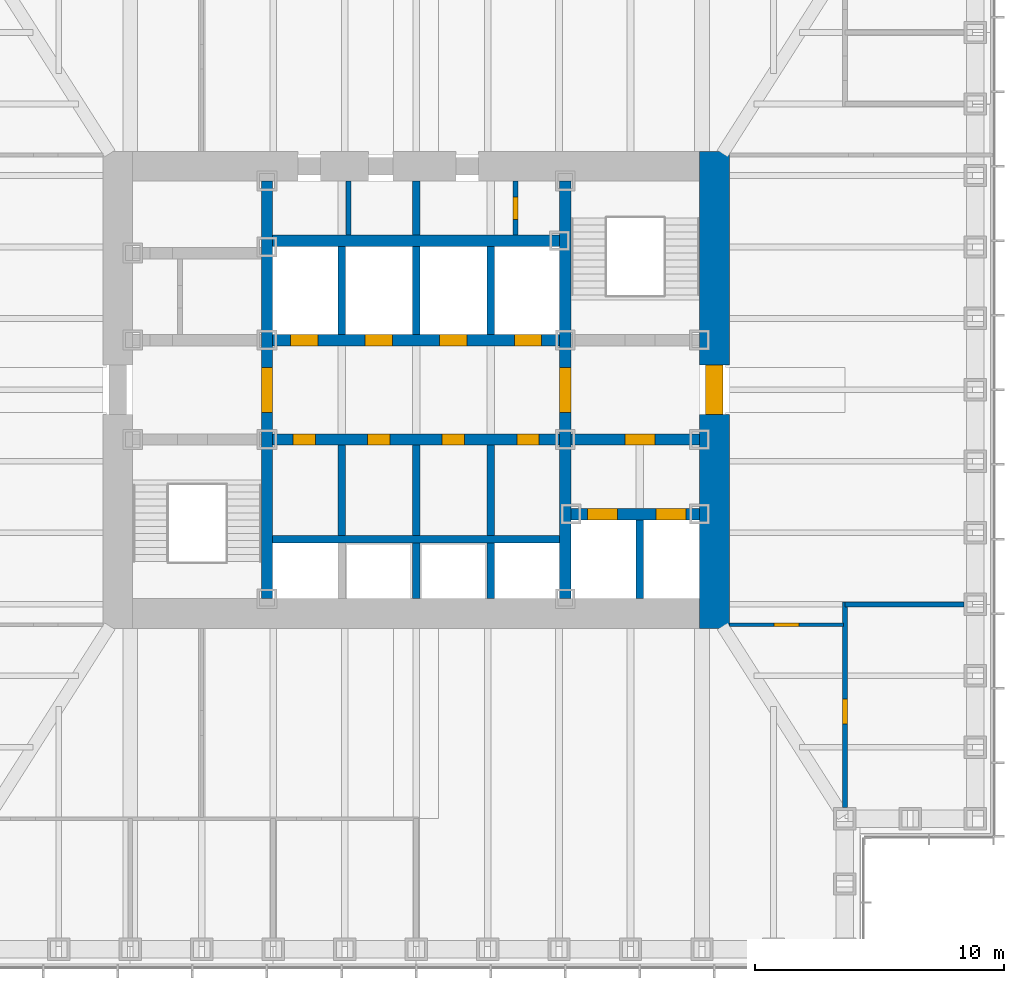
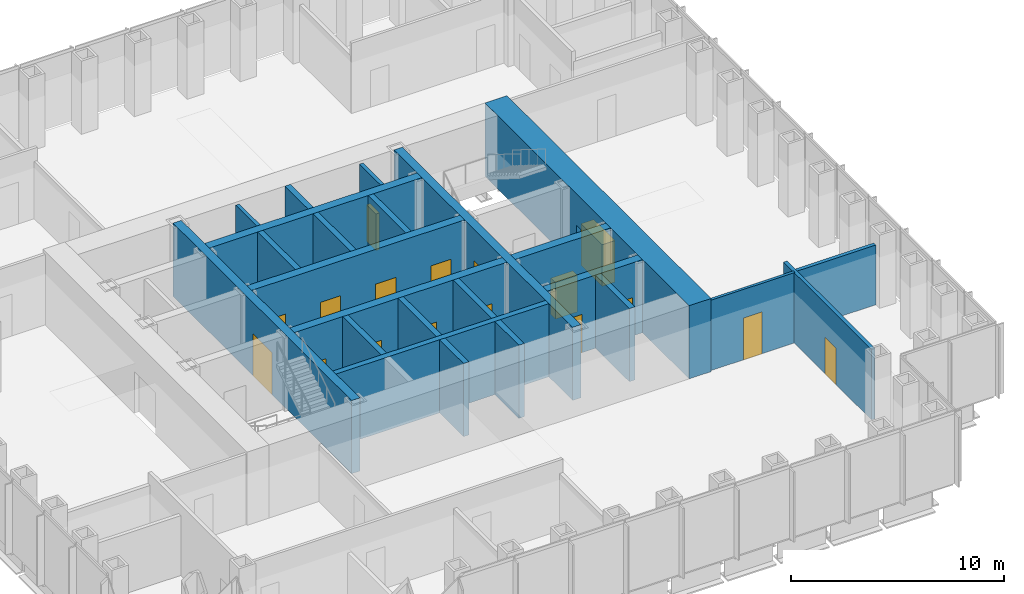
# One storey, part 9 of 16: 24 walls, 17 doors, 17 openings.
"""IFC4 building model written with IfcOpenShell, lengths in metres."""

from ifc_helpers import new_model, si_unit, direction, frame, frame_2d, origin, place, context, subcontext, project, spatial, rectangle, extrude, material, layer, layer_set, type_object, element, fill, save


model = new_model("IFC4")

# Units and contexts
model_context = context("Model", 3, precision=1e-05, world=origin(), true_north=direction((0.0, 1.0)))
body_context = subcontext(model_context, "Body", "Model", "MODEL_VIEW")
ifc_project = project(units=[si_unit("LENGTHUNIT", "METRE"), si_unit("AREAUNIT", "SQUARE_METRE"), si_unit("VOLUMEUNIT", "CUBIC_METRE"), si_unit("PLANEANGLEUNIT", "RADIAN"), si_unit("MASSUNIT", "GRAM", prefix="KILO")], contexts=[model_context])

# Site, building, storey
site_placement = place(None, origin())
site = spatial("IfcSite", under=ifc_project, at=site_placement, CompositionType="ELEMENT")
building_placement = place(site_placement, origin())
building = spatial("IfcBuilding", under=site, at=building_placement, Name="Daluyong Arena Tower", CompositionType="ELEMENT")
storey_placement = place(building_placement, frame((0.0, 0.0, 162.699951171875)))
storey = spatial("IfcBuildingStorey", under=building, at=storey_placement, Name="L36", CompositionType="ELEMENT", Elevation=162.699951171875)

# Wall, opening, door
ifc_material_1 = material(Name="Concrete fc' 45 MPa", Category="concrete")
ifc_layer_1 = layer(ifc_material_1, 0.449951171875)
ifc_layer_set_1 = layer_set([ifc_layer_1], Name="Concrete fc' 45 MPa")
wall_type_1 = type_object("IfcWallType", Name="Core inner wall 450", PredefinedType="SHEAR", material=ifc_layer_set_1)
wall_1_placement = place(storey_placement, frame((50.0, 71.60009765625, 0.0), z_axis=(0.0, 0.0, 1.0), x_axis=(0.0, 1.0, 0.0)))
wall_1 = element("IfcWall", 1, at=wall_1_placement, inside=storey, type_object=wall_type_1, Name="core inner wall at L36", PredefinedType="SHEAR", context=body_context, shape_type="SweptSolid", body=[
    extrude(rectangle(XDim=16.7998046875, YDim=0.449951171875, at=frame_2d((8.39990234375, 0.0))), origin(), (0.0, 0.0, 1.0), 4.199951171875),
])
opening_1_placement = place(wall_1_placement, frame((7.5, 0.0, 0.0)))
opening_1 = element("IfcOpeningElement", 2, at=opening_1_placement, cuts=wall_1, Name="Opening 36016", PredefinedType="OPENING", context=body_context, shape_type="SweptSolid", body=[
    extrude(rectangle(XDim=1.800048828125, YDim=2.39990234375, at=frame_2d((0.89990234375, 1.199951171875))), frame((0.0, 0.23486328125, 0.0), z_axis=(0.0, -1.0, 0.0), x_axis=(1.0, 0.0, 0.0)), (0.0, 0.0, 1.0), 0.469970703125),
])
ifc_material_2 = material(Name="Steel door, fire rated", Category="steel")
door_type_1 = type_object("IfcDoorType", Name="Lift lobby opening door 1800", OperationType="DOUBLE_DOOR_SINGLE_SWING", PredefinedType="DOOR", material=ifc_material_2)
door_1_placement = place(opening_1_placement, origin())
door_1 = element("IfcDoor", 3, at=door_1_placement, inside=storey, type_object=door_type_1, Name="lift lobby door west 36016", OperationType="DOUBLE_DOOR_SINGLE_SWING", OverallHeight=2.39990234375, OverallWidth=1.800048828125, PredefinedType="DOOR", context=body_context, shape_type="SweptSolid", body=[
    extrude(rectangle(XDim=1.800048828125, YDim=2.39990234375, at=frame_2d((0.89990234375, 1.199951171875))), frame((0.0, 0.224609375, 0.0), z_axis=(0.0, -1.0, 0.0), x_axis=(1.0, 0.0, 0.0)), (0.0, 0.0, 1.0), 0.449462890625),
])
fill(opening_1, door_1)

wall_2_placement = place(storey_placement, frame((62.0, 71.60009765625, 0.0), z_axis=(0.0, 0.0, 1.0), x_axis=(0.0, 1.0, 0.0)))
wall_2 = element("IfcWall", 4, at=wall_2_placement, inside=storey, type_object=wall_type_1, Name="core inner wall at L36", PredefinedType="SHEAR", context=body_context, shape_type="SweptSolid", body=[
    extrude(rectangle(XDim=16.7998046875, YDim=0.449951171875, at=frame_2d((8.39990234375, 0.0))), origin(), (0.0, 0.0, 1.0), 4.199951171875),
])
opening_2_placement = place(wall_2_placement, frame((7.5, 0.0, 0.0)))
opening_2 = element("IfcOpeningElement", 5, at=opening_2_placement, cuts=wall_2, Name="Opening 36017", PredefinedType="OPENING", context=body_context, shape_type="SweptSolid", body=[
    extrude(rectangle(XDim=1.800048828125, YDim=2.39990234375, at=frame_2d((0.89990234375, 1.199951171875))), frame((0.0, 0.23486328125, 0.0), z_axis=(0.0, -1.0, 0.0), x_axis=(1.0, 0.0, 0.0)), (0.0, 0.0, 1.0), 0.469970703125),
])
door_2_placement = place(opening_2_placement, origin())
door_2 = element("IfcDoor", 6, at=door_2_placement, inside=storey, type_object=door_type_1, Name="lift lobby door east 36017", OperationType="DOUBLE_DOOR_SINGLE_SWING", OverallHeight=2.39990234375, OverallWidth=1.800048828125, PredefinedType="DOOR", context=body_context, shape_type="SweptSolid", body=[
    extrude(rectangle(XDim=1.800048828125, YDim=2.39990234375, at=frame_2d((0.89990234375, 1.199951171875))), frame((0.0, 0.224609375, 0.0), z_axis=(0.0, -1.0, 0.0), x_axis=(1.0, 0.0, 0.0)), (0.0, 0.0, 1.0), 0.449462890625),
])
fill(opening_2, door_2)

# Wall, openings, doors
wall_3_placement = place(storey_placement, frame((62.22509765625, 75.0, 0.0), z_axis=(0.0, 0.0, 1.0), x_axis=(1.0, 0.0, 0.0)))
wall_3 = element("IfcWall", 7, at=wall_3_placement, inside=storey, type_object=wall_type_1, Name="core inner wall at L36", PredefinedType="SHEAR", context=body_context, shape_type="SweptSolid", body=[
    extrude(rectangle(XDim=5.1748046875, YDim=0.449951171875, at=frame_2d((2.58740234375, 0.0))), origin(), (0.0, 0.0, 1.0), 4.199951171875),
])
opening_3_placement = place(wall_3_placement, frame((0.675048828125, 0.0, 0.0)))
opening_3 = element("IfcOpeningElement", 8, at=opening_3_placement, cuts=wall_3, Name="Opening 36023", PredefinedType="OPENING", context=body_context, shape_type="SweptSolid", body=[
    extrude(rectangle(XDim=1.199951171875, YDim=2.199951171875, at=frame_2d((0.60009765625, 1.10009765625))), frame((0.0, 0.23486328125, 0.0), z_axis=(0.0, -1.0, 0.0), x_axis=(1.0, 0.0, 0.0)), (0.0, 0.0, 1.0), 0.469970703125),
])
opening_4_placement = place(wall_3_placement, frame((3.425048828125, 0.0, 0.0)))
opening_4 = element("IfcOpeningElement", 9, at=opening_4_placement, cuts=wall_3, Name="Opening 36024", PredefinedType="OPENING", context=body_context, shape_type="SweptSolid", body=[
    extrude(rectangle(XDim=1.199951171875, YDim=2.199951171875, at=frame_2d((0.60009765625, 1.10009765625))), frame((0.0, 0.23486328125, 0.0), z_axis=(0.0, -1.0, 0.0), x_axis=(1.0, 0.0, 0.0)), (0.0, 0.0, 1.0), 0.469970703125),
])
ifc_material_3 = material(Name="Steel door, fire rated", Category="steel")
door_type_2 = type_object("IfcDoorType", Name="Firefighting lift landing door 1200", OperationType="SLIDING_TO_LEFT", PredefinedType="DOOR", material=ifc_material_3)
door_3_placement = place(opening_3_placement, origin())
door_3 = element("IfcDoor", 10, at=door_3_placement, inside=storey, type_object=door_type_2, Name="firefighting lift landing door F1 36023", OperationType="SLIDING_TO_LEFT", OverallHeight=2.199951171875, OverallWidth=1.199951171875, PredefinedType="DOOR", context=body_context, shape_type="SweptSolid", body=[
    extrude(rectangle(XDim=1.199951171875, YDim=2.199951171875, at=frame_2d((0.60009765625, 1.10009765625))), frame((0.0, 0.224609375, 0.0), z_axis=(0.0, -1.0, 0.0), x_axis=(1.0, 0.0, 0.0)), (0.0, 0.0, 1.0), 0.449462890625),
])
fill(opening_3, door_3)
door_4_placement = place(opening_4_placement, origin())
door_4 = element("IfcDoor", 11, at=door_4_placement, inside=storey, type_object=door_type_2, Name="firefighting lift landing door F2 36024", OperationType="SLIDING_TO_LEFT", OverallHeight=2.199951171875, OverallWidth=1.199951171875, PredefinedType="DOOR", context=body_context, shape_type="SweptSolid", body=[
    extrude(rectangle(XDim=1.199951171875, YDim=2.199951171875, at=frame_2d((0.60009765625, 1.10009765625))), frame((0.0, 0.224609375, 0.0), z_axis=(0.0, -1.0, 0.0), x_axis=(1.0, 0.0, 0.0)), (0.0, 0.0, 1.0), 0.449462890625),
])
fill(opening_4, door_4)

# Wall, opening, door
wall_4_placement = place(storey_placement, frame((62.22509765625, 78.0, 0.0), z_axis=(0.0, 0.0, 1.0), x_axis=(1.0, 0.0, 0.0)))
wall_4 = element("IfcWall", 12, at=wall_4_placement, inside=storey, type_object=wall_type_1, Name="core inner wall at L36", PredefinedType="SHEAR", context=body_context, shape_type="SweptSolid", body=[
    extrude(rectangle(XDim=5.1748046875, YDim=0.449951171875, at=frame_2d((2.58740234375, 0.0))), origin(), (0.0, 0.0, 1.0), 4.199951171875),
])
opening_5_placement = place(wall_4_placement, frame((2.175048828125, 0.0, 0.0)))
opening_5 = element("IfcOpeningElement", 13, at=opening_5_placement, cuts=wall_4, Name="Opening 36018", PredefinedType="OPENING", context=body_context, shape_type="SweptSolid", body=[
    extrude(rectangle(XDim=1.199951171875, YDim=2.10009765625, at=frame_2d((0.60009765625, 1.050048828125))), frame((0.0, 0.23486328125, 0.0), z_axis=(0.0, -1.0, 0.0), x_axis=(1.0, 0.0, 0.0)), (0.0, 0.0, 1.0), 0.469970703125),
])
ifc_material_4 = material(Name="Steel door, fire rated", Category="steel")
door_type_3 = type_object("IfcDoorType", Name="Firefighting lobby door 1200", OperationType="SINGLE_SWING_RIGHT", PredefinedType="DOOR", material=ifc_material_4)
door_5_placement = place(opening_5_placement, origin())
door_5 = element("IfcDoor", 14, at=door_5_placement, inside=storey, type_object=door_type_3, Name="firefighting lobby door 36018", OperationType="SINGLE_SWING_RIGHT", OverallHeight=2.10009765625, OverallWidth=1.199951171875, PredefinedType="DOOR", context=body_context, shape_type="SweptSolid", body=[
    extrude(rectangle(XDim=1.199951171875, YDim=2.10009765625, at=frame_2d((0.60009765625, 1.050048828125))), frame((0.0, 0.224609375, 0.0), z_axis=(0.0, -1.0, 0.0), x_axis=(1.0, 0.0, 0.0)), (0.0, 0.0, 1.0), 0.449462890625),
])
fill(opening_5, door_5)

# Wall, openings, doors
wall_5_placement = place(storey_placement, frame((50.22509765625, 78.0, 0.0), z_axis=(0.0, 0.0, 1.0), x_axis=(1.0, 0.0, 0.0)))
wall_5 = element("IfcWall", 15, at=wall_5_placement, inside=storey, type_object=wall_type_1, Name="core inner wall at L36", PredefinedType="SHEAR", context=body_context, shape_type="SweptSolid", body=[
    extrude(rectangle(XDim=11.5498046875, YDim=0.449951171875, at=frame_2d((5.77490234375, 0.0))), origin(), (0.0, 0.0, 1.0), 4.199951171875),
])
opening_6_placement = place(wall_5_placement, frame((0.824951171875, 0.0, 0.0)))
opening_6 = element("IfcOpeningElement", 16, at=opening_6_placement, cuts=wall_5, Name="Opening 36008", PredefinedType="OPENING", context=body_context, shape_type="SweptSolid", body=[
    extrude(rectangle(XDim=0.89990234375, YDim=2.10009765625, at=frame_2d((0.449951171875, 1.050048828125))), frame((0.0, 0.23486328125, 0.0), z_axis=(0.0, -1.0, 0.0), x_axis=(1.0, 0.0, 0.0)), (0.0, 0.0, 1.0), 0.469970703125),
])
opening_7_placement = place(wall_5_placement, frame((3.824951171875, 0.0, 0.0)))
opening_7 = element("IfcOpeningElement", 17, at=opening_7_placement, cuts=wall_5, Name="Opening 36009", PredefinedType="OPENING", context=body_context, shape_type="SweptSolid", body=[
    extrude(rectangle(XDim=0.89990234375, YDim=2.10009765625, at=frame_2d((0.449951171875, 1.050048828125))), frame((0.0, 0.23486328125, 0.0), z_axis=(0.0, -1.0, 0.0), x_axis=(1.0, 0.0, 0.0)), (0.0, 0.0, 1.0), 0.469970703125),
])
opening_8_placement = place(wall_5_placement, frame((6.824951171875, 0.0, 0.0)))
opening_8 = element("IfcOpeningElement", 18, at=opening_8_placement, cuts=wall_5, Name="Opening 36010", PredefinedType="OPENING", context=body_context, shape_type="SweptSolid", body=[
    extrude(rectangle(XDim=0.89990234375, YDim=2.10009765625, at=frame_2d((0.449951171875, 1.050048828125))), frame((0.0, 0.23486328125, 0.0), z_axis=(0.0, -1.0, 0.0), x_axis=(1.0, 0.0, 0.0)), (0.0, 0.0, 1.0), 0.469970703125),
])
opening_9_placement = place(wall_5_placement, frame((9.824951171875, 0.0, 0.0)))
opening_9 = element("IfcOpeningElement", 19, at=opening_9_placement, cuts=wall_5, Name="Opening 36011", PredefinedType="OPENING", context=body_context, shape_type="SweptSolid", body=[
    extrude(rectangle(XDim=0.89990234375, YDim=2.10009765625, at=frame_2d((0.449951171875, 1.050048828125))), frame((0.0, 0.23486328125, 0.0), z_axis=(0.0, -1.0, 0.0), x_axis=(1.0, 0.0, 0.0)), (0.0, 0.0, 1.0), 0.469970703125),
])
ifc_material_5 = material(Name="Steel door, fire rated", Category="steel")
door_type_4 = type_object("IfcDoorType", Name="Core room door 900", OperationType="SINGLE_SWING_LEFT", PredefinedType="DOOR", material=ifc_material_5)
door_6_placement = place(opening_8_placement, origin())
door_6 = element("IfcDoor", 20, at=door_6_placement, inside=storey, type_object=door_type_4, Name="parcel room door 36010", OperationType="SINGLE_SWING_LEFT", OverallHeight=2.10009765625, OverallWidth=0.89990234375, PredefinedType="DOOR", context=body_context, shape_type="SweptSolid", body=[
    extrude(rectangle(XDim=0.89990234375, YDim=2.10009765625, at=frame_2d((0.449951171875, 1.050048828125))), frame((0.0, 0.224609375, 0.0), z_axis=(0.0, -1.0, 0.0), x_axis=(1.0, 0.0, 0.0)), (0.0, 0.0, 1.0), 0.449462890625),
])
fill(opening_8, door_6)
ifc_material_6 = material(Name="Steel door, fire rated", Category="steel")
door_type_5 = type_object("IfcDoorType", Name="Core store door 900", OperationType="SINGLE_SWING_LEFT", PredefinedType="DOOR", material=ifc_material_6)
door_7_placement = place(opening_6_placement, origin())
door_7 = element("IfcDoor", 21, at=door_7_placement, inside=storey, type_object=door_type_5, Name="cleaner's store door 36008", OperationType="SINGLE_SWING_LEFT", OverallHeight=2.10009765625, OverallWidth=0.89990234375, PredefinedType="DOOR", context=body_context, shape_type="SweptSolid", body=[
    extrude(rectangle(XDim=0.89990234375, YDim=2.10009765625, at=frame_2d((0.449951171875, 1.050048828125))), frame((0.0, 0.224609375, 0.0), z_axis=(0.0, -1.0, 0.0), x_axis=(1.0, 0.0, 0.0)), (0.0, 0.0, 1.0), 0.449462890625),
])
fill(opening_6, door_7)
door_8_placement = place(opening_9_placement, origin())
door_8 = element("IfcDoor", 22, at=door_8_placement, inside=storey, type_object=door_type_5, Name="facilities store door 36011", OperationType="SINGLE_SWING_LEFT", OverallHeight=2.10009765625, OverallWidth=0.89990234375, PredefinedType="DOOR", context=body_context, shape_type="SweptSolid", body=[
    extrude(rectangle(XDim=0.89990234375, YDim=2.10009765625, at=frame_2d((0.449951171875, 1.050048828125))), frame((0.0, 0.224609375, 0.0), z_axis=(0.0, -1.0, 0.0), x_axis=(1.0, 0.0, 0.0)), (0.0, 0.0, 1.0), 0.449462890625),
])
fill(opening_9, door_8)
ifc_material_7 = material(Name="Steel door, fire rated", Category="steel")
door_type_6 = type_object("IfcDoorType", Name="Plant room door 900", OperationType="SINGLE_SWING_LEFT", PredefinedType="DOOR", material=ifc_material_7)
door_9_placement = place(opening_7_placement, origin())
door_9 = element("IfcDoor", 23, at=door_9_placement, inside=storey, type_object=door_type_6, Name="comms room door 36009", OperationType="SINGLE_SWING_LEFT", OverallHeight=2.10009765625, OverallWidth=0.89990234375, PredefinedType="DOOR", context=body_context, shape_type="SweptSolid", body=[
    extrude(rectangle(XDim=0.89990234375, YDim=2.10009765625, at=frame_2d((0.449951171875, 1.050048828125))), frame((0.0, 0.224609375, 0.0), z_axis=(0.0, -1.0, 0.0), x_axis=(1.0, 0.0, 0.0)), (0.0, 0.0, 1.0), 0.449462890625),
])
fill(opening_7, door_9)

wall_6_placement = place(storey_placement, frame((50.22509765625, 82.0, 0.0), z_axis=(0.0, 0.0, 1.0), x_axis=(1.0, 0.0, 0.0)))
wall_6 = element("IfcWall", 24, at=wall_6_placement, inside=storey, type_object=wall_type_1, Name="core inner wall at L36", PredefinedType="SHEAR", context=body_context, shape_type="SweptSolid", body=[
    extrude(rectangle(XDim=11.5498046875, YDim=0.449951171875, at=frame_2d((5.77490234375, 0.0))), origin(), (0.0, 0.0, 1.0), 4.199951171875),
])
opening_10_placement = place(wall_6_placement, frame((0.72509765625, 0.0, 0.0)))
opening_10 = element("IfcOpeningElement", 25, at=opening_10_placement, cuts=wall_6, Name="Opening 36019", PredefinedType="OPENING", context=body_context, shape_type="SweptSolid", body=[
    extrude(rectangle(XDim=1.10009765625, YDim=2.199951171875, at=frame_2d((0.550048828125, 1.10009765625))), frame((0.0, 0.23486328125, 0.0), z_axis=(0.0, -1.0, 0.0), x_axis=(1.0, 0.0, 0.0)), (0.0, 0.0, 1.0), 0.469970703125),
])
opening_11_placement = place(wall_6_placement, frame((3.72509765625, 0.0, 0.0)))
opening_11 = element("IfcOpeningElement", 26, at=opening_11_placement, cuts=wall_6, Name="Opening 36020", PredefinedType="OPENING", context=body_context, shape_type="SweptSolid", body=[
    extrude(rectangle(XDim=1.10009765625, YDim=2.199951171875, at=frame_2d((0.550048828125, 1.10009765625))), frame((0.0, 0.23486328125, 0.0), z_axis=(0.0, -1.0, 0.0), x_axis=(1.0, 0.0, 0.0)), (0.0, 0.0, 1.0), 0.469970703125),
])
opening_12_placement = place(wall_6_placement, frame((6.72509765625, 0.0, 0.0)))
opening_12 = element("IfcOpeningElement", 27, at=opening_12_placement, cuts=wall_6, Name="Opening 36021", PredefinedType="OPENING", context=body_context, shape_type="SweptSolid", body=[
    extrude(rectangle(XDim=1.10009765625, YDim=2.199951171875, at=frame_2d((0.550048828125, 1.10009765625))), frame((0.0, 0.23486328125, 0.0), z_axis=(0.0, -1.0, 0.0), x_axis=(1.0, 0.0, 0.0)), (0.0, 0.0, 1.0), 0.469970703125),
])
opening_13_placement = place(wall_6_placement, frame((9.72509765625, 0.0, 0.0)))
opening_13 = element("IfcOpeningElement", 28, at=opening_13_placement, cuts=wall_6, Name="Opening 36022", PredefinedType="OPENING", context=body_context, shape_type="SweptSolid", body=[
    extrude(rectangle(XDim=1.10009765625, YDim=2.199951171875, at=frame_2d((0.550048828125, 1.10009765625))), frame((0.0, 0.23486328125, 0.0), z_axis=(0.0, -1.0, 0.0), x_axis=(1.0, 0.0, 0.0)), (0.0, 0.0, 1.0), 0.469970703125),
])
ifc_material_8 = material(Name="Steel door, fire rated", Category="steel")
door_type_7 = type_object("IfcDoorType", Name="Lift landing door 1100", OperationType="SLIDING_TO_LEFT", PredefinedType="DOOR", material=ifc_material_8)
door_10_placement = place(opening_10_placement, origin())
door_10 = element("IfcDoor", 29, at=door_10_placement, inside=storey, type_object=door_type_7, Name="lift landing door B1 36019", OperationType="SLIDING_TO_LEFT", OverallHeight=2.199951171875, OverallWidth=1.10009765625, PredefinedType="DOOR", context=body_context, shape_type="SweptSolid", body=[
    extrude(rectangle(XDim=1.10009765625, YDim=2.199951171875, at=frame_2d((0.550048828125, 1.10009765625))), frame((0.0, 0.224609375, 0.0), z_axis=(0.0, -1.0, 0.0), x_axis=(1.0, 0.0, 0.0)), (0.0, 0.0, 1.0), 0.449462890625),
])
fill(opening_10, door_10)
door_11_placement = place(opening_11_placement, origin())
door_11 = element("IfcDoor", 30, at=door_11_placement, inside=storey, type_object=door_type_7, Name="lift landing door B2 36020", OperationType="SLIDING_TO_LEFT", OverallHeight=2.199951171875, OverallWidth=1.10009765625, PredefinedType="DOOR", context=body_context, shape_type="SweptSolid", body=[
    extrude(rectangle(XDim=1.10009765625, YDim=2.199951171875, at=frame_2d((0.550048828125, 1.10009765625))), frame((0.0, 0.224609375, 0.0), z_axis=(0.0, -1.0, 0.0), x_axis=(1.0, 0.0, 0.0)), (0.0, 0.0, 1.0), 0.449462890625),
])
fill(opening_11, door_11)
door_12_placement = place(opening_12_placement, origin())
door_12 = element("IfcDoor", 31, at=door_12_placement, inside=storey, type_object=door_type_7, Name="lift landing door B3 36021", OperationType="SLIDING_TO_LEFT", OverallHeight=2.199951171875, OverallWidth=1.10009765625, PredefinedType="DOOR", context=body_context, shape_type="SweptSolid", body=[
    extrude(rectangle(XDim=1.10009765625, YDim=2.199951171875, at=frame_2d((0.550048828125, 1.10009765625))), frame((0.0, 0.224609375, 0.0), z_axis=(0.0, -1.0, 0.0), x_axis=(1.0, 0.0, 0.0)), (0.0, 0.0, 1.0), 0.449462890625),
])
fill(opening_12, door_12)
door_13_placement = place(opening_13_placement, origin())
door_13 = element("IfcDoor", 32, at=door_13_placement, inside=storey, type_object=door_type_7, Name="lift landing door B4 36022", OperationType="SLIDING_TO_LEFT", OverallHeight=2.199951171875, OverallWidth=1.10009765625, PredefinedType="DOOR", context=body_context, shape_type="SweptSolid", body=[
    extrude(rectangle(XDim=1.10009765625, YDim=2.199951171875, at=frame_2d((0.550048828125, 1.10009765625))), frame((0.0, 0.224609375, 0.0), z_axis=(0.0, -1.0, 0.0), x_axis=(1.0, 0.0, 0.0)), (0.0, 0.0, 1.0), 0.449462890625),
])
fill(opening_13, door_13)

# Wall
wall_7_placement = place(storey_placement, frame((50.22509765625, 86.0, 0.0), z_axis=(0.0, 0.0, 1.0), x_axis=(1.0, 0.0, 0.0)))
element("IfcWall", 33, at=wall_7_placement, inside=storey, type_object=wall_type_1, Name="core inner wall at L36", PredefinedType="SHEAR", context=body_context, shape_type="SweptSolid", body=[
    extrude(rectangle(XDim=11.5498046875, YDim=0.449951171875, at=frame_2d((5.77490234375, 0.0))), origin(), (0.0, 0.0, 1.0), 4.199951171875),
])

# Wall, opening, door
ifc_material_9 = material(Name="Concrete fc' 60 MPa", Category="concrete")
ifc_layer_2 = layer(ifc_material_9, 1.199951171875)
ifc_layer_set_2 = layer_set([ifc_layer_2], Name="Concrete fc' 60 MPa")
wall_type_2 = type_object("IfcWallType", Name="Core wall 1200", PredefinedType="SHEAR", material=ifc_layer_set_2)
wall_8_placement = place(storey_placement, frame((68.0, 70.39990234375, 0.0), z_axis=(0.0, 0.0, 1.0), x_axis=(0.0, 1.0, 0.0)))
wall_8 = element("IfcWall", 34, at=wall_8_placement, inside=storey, type_object=wall_type_2, Name="core wall at L36", PredefinedType="SHEAR", context=body_context, shape_type="SweptSolid", body=[
    extrude(rectangle(XDim=19.2001953125, YDim=1.199951171875, at=frame_2d((9.60009765625, 0.0))), origin(), (0.0, 0.0, 1.0), 4.199951171875),
])
opening_14_placement = place(wall_8_placement, frame((8.60009765625, 0.0, 0.0)))
opening_14 = element("IfcOpeningElement", 35, at=opening_14_placement, cuts=wall_8, Name="Opening 36015", PredefinedType="OPENING", context=body_context, shape_type="SweptSolid", body=[
    extrude(rectangle(XDim=2.0, YDim=2.39990234375, at=frame_2d((1.0, 1.199951171875))), frame((0.0, 0.60986328125, 0.0), z_axis=(0.0, -1.0, 0.0), x_axis=(1.0, 0.0, 0.0)), (0.0, 0.0, 1.0), 1.219970703125),
])
ifc_material_10 = material(Name="Steel door, fire rated", Category="steel")
door_type_8 = type_object("IfcDoorType", Name="Core lobby double door 2000", OperationType="DOUBLE_DOOR_SINGLE_SWING", PredefinedType="DOOR", material=ifc_material_10)
door_14_placement = place(opening_14_placement, origin())
door_14 = element("IfcDoor", 36, at=door_14_placement, inside=storey, type_object=door_type_8, Name="core lobby door east 36015", OperationType="DOUBLE_DOOR_SINGLE_SWING", OverallHeight=2.39990234375, OverallWidth=2.0, PredefinedType="DOOR", context=body_context, shape_type="SweptSolid", body=[
    extrude(rectangle(XDim=2.0, YDim=2.39990234375, at=frame_2d((1.0, 1.199951171875))), frame((0.0, 0.35009765625, 0.0), z_axis=(0.0, -1.0, 0.0), x_axis=(1.0, 0.0, 0.0)), (0.0, 0.0, 1.0), 0.699951171875),
])
fill(opening_14, door_14)

# Wall
ifc_material_11 = material(Name="Concrete block partition, fire rated", Category="concrete")
ifc_layer_3 = layer(ifc_material_11, 0.199951171875)
ifc_layer_set_3 = layer_set([ifc_layer_3], Name="Concrete block partition, fire rated")
wall_type_3 = type_object("IfcWallType", Name="Fire-rated partition 200", PredefinedType="PARTITIONING", material=ifc_layer_set_3)
wall_9_placement = place(storey_placement, frame((53.27490234375, 86.22509765625, 0.0), z_axis=(0.0, 0.0, 1.0), x_axis=(0.0, 1.0, 0.0)))
element("IfcWall", 37, at=wall_9_placement, inside=storey, type_object=wall_type_3, Name="core room partition at L36", PredefinedType="PARTITIONING", context=body_context, shape_type="SweptSolid", body=[
    extrude(rectangle(XDim=2.1748046875, YDim=0.199951171875, at=frame_2d((1.08740234375, 0.0))), origin(), (0.0, 0.0, 1.0), 4.0400390625),
])

# Wall, opening, door
wall_10_placement = place(storey_placement, frame((60.0, 86.22509765625, 0.0), z_axis=(0.0, 0.0, 1.0), x_axis=(0.0, 1.0, 0.0)))
wall_10 = element("IfcWall", 38, at=wall_10_placement, inside=storey, type_object=wall_type_3, Name="electrical riser enclosure at L36", PredefinedType="PARTITIONING", context=body_context, shape_type="SweptSolid", body=[
    extrude(rectangle(XDim=2.1748046875, YDim=0.199951171875, at=frame_2d((1.08740234375, 0.0))), origin(), (0.0, 0.0, 1.0), 4.0400390625),
])
opening_15_placement = place(wall_10_placement, frame((0.637451171875, 0.0, 0.0)))
opening_15 = element("IfcOpeningElement", 39, at=opening_15_placement, cuts=wall_10, Name="Opening 36007", PredefinedType="OPENING", context=body_context, shape_type="SweptSolid", body=[
    extrude(rectangle(XDim=0.89990234375, YDim=2.10009765625, at=frame_2d((0.449951171875, 1.050048828125))), frame((0.0, 0.10986328125, 0.0), z_axis=(0.0, -1.0, 0.0), x_axis=(1.0, 0.0, 0.0)), (0.0, 0.0, 1.0), 0.219970703125),
])
ifc_material_12 = material(Name="Steel door, fire rated", Category="steel")
door_type_9 = type_object("IfcDoorType", Name="Riser door 900", OperationType="SINGLE_SWING_LEFT", PredefinedType="DOOR", material=ifc_material_12)
door_15_placement = place(opening_15_placement, origin())
door_15 = element("IfcDoor", 40, at=door_15_placement, inside=storey, type_object=door_type_9, Name="riser door 36007", OperationType="SINGLE_SWING_LEFT", OverallHeight=2.10009765625, OverallWidth=0.89990234375, PredefinedType="DOOR", context=body_context, shape_type="SweptSolid", body=[
    extrude(rectangle(XDim=0.89990234375, YDim=2.10009765625, at=frame_2d((0.449951171875, 1.050048828125))), frame((0.0, 0.099609375, 0.0), z_axis=(0.0, -1.0, 0.0), x_axis=(1.0, 0.0, 0.0)), (0.0, 0.0, 1.0), 0.199462890625),
])
fill(opening_15, door_15)

ifc_material_13 = material(Name="Glazed aluminium partition", Category="aluminium")
ifc_layer_4 = layer(ifc_material_13, 0.14990234375)
ifc_layer_set_4 = layer_set([ifc_layer_4], Name="Glazed aluminium partition")
wall_type_4 = type_object("IfcWallType", Name="Glazed partition 150", PredefinedType="PARTITIONING", material=ifc_layer_set_4)
wall_11_placement = place(storey_placement, frame((68.60009765625, 70.550048828125, 0.0), z_axis=(0.0, 0.0, 1.0), x_axis=(1.0, 0.0, 0.0)))
wall_11 = element("IfcWall", 41, at=wall_11_placement, inside=storey, type_object=wall_type_4, Name="glazed partition at L36", PredefinedType="PARTITIONING", context=body_context, shape_type="SweptSolid", body=[
    extrude(rectangle(XDim=4.599853515625, YDim=0.14990234375, at=frame_2d((2.2998046875, 0.0))), origin(), (0.0, 0.0, 1.0), 4.0400390625),
])
opening_16_placement = place(wall_11_placement, frame((1.800048828125, 0.0, 0.0)))
opening_16 = element("IfcOpeningElement", 42, at=opening_16_placement, cuts=wall_11, Name="Opening 36041", PredefinedType="OPENING", context=body_context, shape_type="SweptSolid", body=[
    extrude(rectangle(XDim=1.0, YDim=2.39990234375, at=frame_2d((0.5, 1.199951171875))), frame((0.0, 0.0849609375, 0.0), z_axis=(0.0, -1.0, 0.0), x_axis=(1.0, 0.0, 0.0)), (0.0, 0.0, 1.0), 0.169921875),
])
ifc_material_14 = material(Name="Glazed aluminium door", Category="aluminium")
door_type_10 = type_object("IfcDoorType", Name="Meeting room glazed door 1000", OperationType="SINGLE_SWING_RIGHT", PredefinedType="DOOR", material=ifc_material_14)
door_16_placement = place(opening_16_placement, origin())
door_16 = element("IfcDoor", 43, at=door_16_placement, inside=storey, type_object=door_type_10, Name="team area screen door 36041", OperationType="SINGLE_SWING_RIGHT", OverallHeight=2.39990234375, OverallWidth=1.0, PredefinedType="DOOR", context=body_context, shape_type="SweptSolid", body=[
    extrude(rectangle(XDim=1.0, YDim=2.39990234375, at=frame_2d((0.5, 1.199951171875))), frame((0.0, 0.07470703125, 0.0), z_axis=(0.0, -1.0, 0.0), x_axis=(1.0, 0.0, 0.0)), (0.0, 0.0, 1.0), 0.1494140625),
])
fill(opening_16, door_16)

# Walls
ifc_material_15 = material(Name="Concrete fc' 45 MPa", Category="concrete")
ifc_layer_5 = layer(ifc_material_15, 0.300048828125)
ifc_layer_set_5 = layer_set([ifc_layer_5], Name="Concrete fc' 45 MPa")
wall_type_5 = type_object("IfcWallType", Name="Lift shaft wall 300", PredefinedType="SHEAR", material=ifc_layer_set_5)
wall_12_placement = place(storey_placement, frame((50.22509765625, 74.0, 0.0), z_axis=(0.0, 0.0, 1.0), x_axis=(1.0, 0.0, 0.0)))
element("IfcWall", 44, at=wall_12_placement, inside=storey, type_object=wall_type_5, Name="lift shaft wall at L36", PredefinedType="SHEAR", context=body_context, shape_type="SweptSolid", body=[
    extrude(rectangle(XDim=11.5498046875, YDim=0.300048828125, at=frame_2d((5.77490234375, 0.0))), origin(), (0.0, 0.0, 1.0), 4.199951171875),
])
wall_13_placement = place(storey_placement, frame((53.0, 74.14990234375, 0.0), z_axis=(0.0, 0.0, 1.0), x_axis=(0.0, 1.0, 0.0)))
element("IfcWall", 45, at=wall_13_placement, inside=storey, type_object=wall_type_5, Name="lift shaft wall at L36", PredefinedType="SHEAR", context=body_context, shape_type="SweptSolid", body=[
    extrude(rectangle(XDim=3.625, YDim=0.300048828125, at=frame_2d((1.8125, 0.0))), origin(), (0.0, 0.0, 1.0), 4.199951171875),
])
wall_14_placement = place(storey_placement, frame((53.0, 82.22509765625, 0.0), z_axis=(0.0, 0.0, 1.0), x_axis=(0.0, 1.0, 0.0)))
element("IfcWall", 46, at=wall_14_placement, inside=storey, type_object=wall_type_5, Name="lift shaft wall at L36", PredefinedType="SHEAR", context=body_context, shape_type="SweptSolid", body=[
    extrude(rectangle(XDim=3.5498046875, YDim=0.300048828125, at=frame_2d((1.77490234375, 0.0))), origin(), (0.0, 0.0, 1.0), 4.199951171875),
])
wall_15_placement = place(storey_placement, frame((56.0, 71.60009765625, 0.0), z_axis=(0.0, 0.0, 1.0), x_axis=(0.0, 1.0, 0.0)))
element("IfcWall", 47, at=wall_15_placement, inside=storey, type_object=wall_type_5, Name="lift shaft wall at L36", PredefinedType="SHEAR", context=body_context, shape_type="SweptSolid", body=[
    extrude(rectangle(XDim=2.25, YDim=0.300048828125, at=frame_2d((1.125, 0.0))), origin(), (0.0, 0.0, 1.0), 4.199951171875),
])
wall_16_placement = place(storey_placement, frame((56.0, 74.14990234375, 0.0), z_axis=(0.0, 0.0, 1.0), x_axis=(0.0, 1.0, 0.0)))
element("IfcWall", 48, at=wall_16_placement, inside=storey, type_object=wall_type_5, Name="lift shaft wall at L36", PredefinedType="SHEAR", context=body_context, shape_type="SweptSolid", body=[
    extrude(rectangle(XDim=3.625, YDim=0.300048828125, at=frame_2d((1.8125, 0.0))), origin(), (0.0, 0.0, 1.0), 4.199951171875),
])
wall_17_placement = place(storey_placement, frame((56.0, 82.22509765625, 0.0), z_axis=(0.0, 0.0, 1.0), x_axis=(0.0, 1.0, 0.0)))
element("IfcWall", 49, at=wall_17_placement, inside=storey, type_object=wall_type_5, Name="lift shaft wall at L36", PredefinedType="SHEAR", context=body_context, shape_type="SweptSolid", body=[
    extrude(rectangle(XDim=3.5498046875, YDim=0.300048828125, at=frame_2d((1.77490234375, 0.0))), origin(), (0.0, 0.0, 1.0), 4.199951171875),
])
wall_18_placement = place(storey_placement, frame((59.0, 71.60009765625, 0.0), z_axis=(0.0, 0.0, 1.0), x_axis=(0.0, 1.0, 0.0)))
element("IfcWall", 50, at=wall_18_placement, inside=storey, type_object=wall_type_5, Name="lift shaft wall at L36", PredefinedType="SHEAR", context=body_context, shape_type="SweptSolid", body=[
    extrude(rectangle(XDim=2.25, YDim=0.300048828125, at=frame_2d((1.125, 0.0))), origin(), (0.0, 0.0, 1.0), 4.199951171875),
])
wall_19_placement = place(storey_placement, frame((59.0, 74.14990234375, 0.0), z_axis=(0.0, 0.0, 1.0), x_axis=(0.0, 1.0, 0.0)))
element("IfcWall", 51, at=wall_19_placement, inside=storey, type_object=wall_type_5, Name="lift shaft wall at L36", PredefinedType="SHEAR", context=body_context, shape_type="SweptSolid", body=[
    extrude(rectangle(XDim=3.625, YDim=0.300048828125, at=frame_2d((1.8125, 0.0))), origin(), (0.0, 0.0, 1.0), 4.199951171875),
])
wall_20_placement = place(storey_placement, frame((59.0, 82.22509765625, 0.0), z_axis=(0.0, 0.0, 1.0), x_axis=(0.0, 1.0, 0.0)))
element("IfcWall", 52, at=wall_20_placement, inside=storey, type_object=wall_type_5, Name="lift shaft wall at L36", PredefinedType="SHEAR", context=body_context, shape_type="SweptSolid", body=[
    extrude(rectangle(XDim=3.5498046875, YDim=0.300048828125, at=frame_2d((1.77490234375, 0.0))), origin(), (0.0, 0.0, 1.0), 4.199951171875),
])
wall_21_placement = place(storey_placement, frame((65.0, 71.60009765625, 0.0), z_axis=(0.0, 0.0, 1.0), x_axis=(0.0, 1.0, 0.0)))
element("IfcWall", 53, at=wall_21_placement, inside=storey, type_object=wall_type_5, Name="lift shaft wall at L36", PredefinedType="SHEAR", context=body_context, shape_type="SweptSolid", body=[
    extrude(rectangle(XDim=3.1748046875, YDim=0.300048828125, at=frame_2d((1.58740234375, 0.0))), origin(), (0.0, 0.0, 1.0), 4.199951171875),
])
wall_22_placement = place(storey_placement, frame((56.0, 86.22509765625, 0.0), z_axis=(0.0, 0.0, 1.0), x_axis=(0.0, 1.0, 0.0)))
element("IfcWall", 54, at=wall_22_placement, inside=storey, type_object=wall_type_5, Name="lift shaft wall at L36", PredefinedType="SHEAR", context=body_context, shape_type="SweptSolid", body=[
    extrude(rectangle(XDim=2.1748046875, YDim=0.300048828125, at=frame_2d((1.08740234375, 0.0))), origin(), (0.0, 0.0, 1.0), 4.199951171875),
])
ifc_material_16 = material(Name="Concrete block partition", Category="concrete")
ifc_layer_6 = layer(ifc_material_16, 0.199951171875)
ifc_layer_set_6 = layer_set([ifc_layer_6], Name="Concrete block partition")
wall_type_6 = type_object("IfcWallType", Name="Partition 200", PredefinedType="PARTITIONING", material=ifc_layer_set_6)
wall_23_placement = place(storey_placement, frame((73.25, 71.375, 0.0), z_axis=(0.0, 0.0, 1.0), x_axis=(1.0, 0.0, 0.0)))
element("IfcWall", 55, at=wall_23_placement, inside=storey, type_object=wall_type_6, Name="partition at L36", PredefinedType="PARTITIONING", context=body_context, shape_type="SweptSolid", body=[
    extrude(rectangle(XDim=4.800048828125, YDim=0.199951171875, at=frame_2d((2.39990234375, 0.0))), origin(), (0.0, 0.0, 1.0), 3.427978515625),
])

# Wall, opening, door
wall_24_placement = place(storey_placement, frame((73.25, 63.199951171875, 0.0), z_axis=(0.0, 0.0, 1.0), x_axis=(0.0, 1.0, 0.0)))
wall_24 = element("IfcWall", 56, at=wall_24_placement, inside=storey, type_object=wall_type_6, Name="partition at L36", PredefinedType="PARTITIONING", context=body_context, shape_type="SweptSolid", body=[
    extrude(rectangle(XDim=8.275146484375, YDim=0.199951171875, at=frame_2d((4.1376953125, 0.0))), origin(), (0.0, 0.0, 1.0), 4.0400390625),
])
opening_17_placement = place(wall_24_placement, frame((3.362548828125, 0.0, 0.0)))
opening_17 = element("IfcOpeningElement", 57, at=opening_17_placement, cuts=wall_24, Name="Opening 36028", PredefinedType="OPENING", context=body_context, shape_type="SweptSolid", body=[
    extrude(rectangle(XDim=1.0, YDim=2.10009765625, at=frame_2d((0.5, 1.050048828125))), frame((0.0, 0.10986328125, 0.0), z_axis=(0.0, -1.0, 0.0), x_axis=(1.0, 0.0, 0.0)), (0.0, 0.0, 1.0), 0.219970703125),
])
ifc_material_17 = material(Name="Timber door", Category="wood")
door_type_11 = type_object("IfcDoorType", Name="Room door 1000", OperationType="SINGLE_SWING_LEFT", PredefinedType="DOOR", material=ifc_material_17)
door_17_placement = place(opening_17_placement, origin())
door_17 = element("IfcDoor", 58, at=door_17_placement, inside=storey, type_object=door_type_11, Name="training room door 36028", OperationType="SINGLE_SWING_LEFT", OverallHeight=2.10009765625, OverallWidth=1.0, PredefinedType="DOOR", context=body_context, shape_type="SweptSolid", body=[
    extrude(rectangle(XDim=1.0, YDim=2.10009765625, at=frame_2d((0.5, 1.050048828125))), frame((0.0, 0.099609375, 0.0), z_axis=(0.0, -1.0, 0.0), x_axis=(1.0, 0.0, 0.0)), (0.0, 0.0, 1.0), 0.199462890625),
])
fill(opening_17, door_17)

save(model, "model.ifc")
